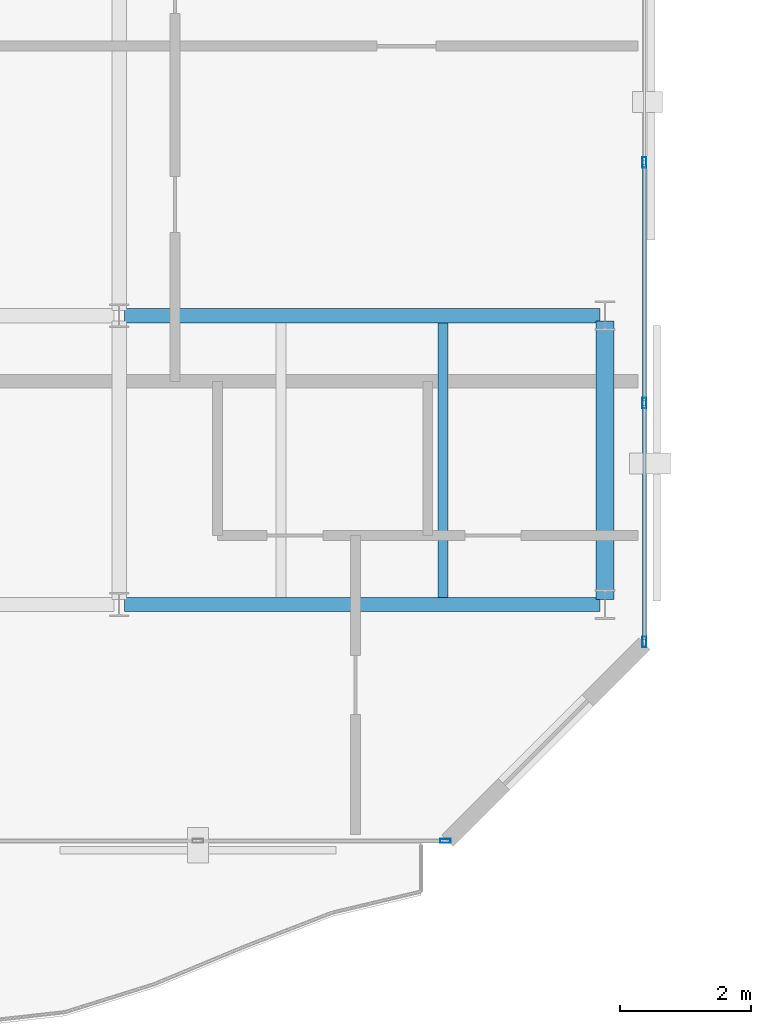
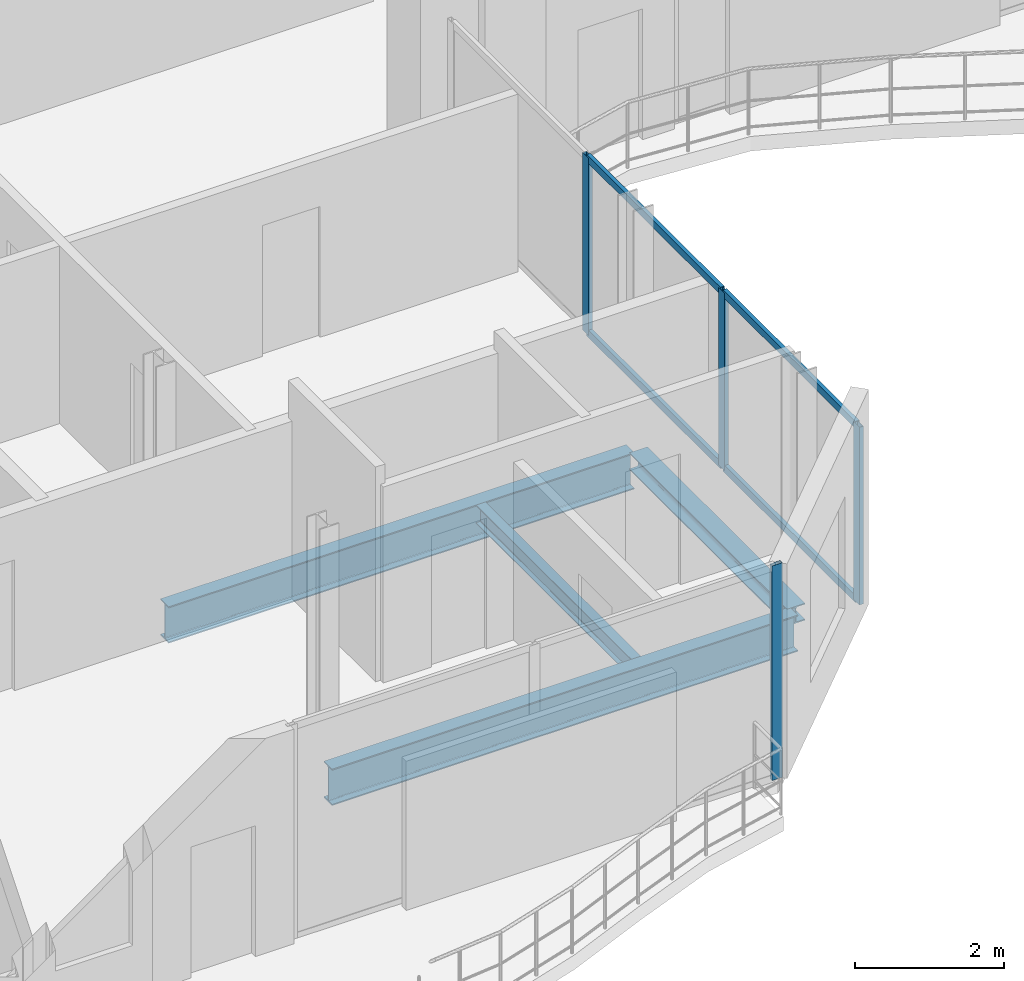
# One storey, part 7 of 22: 8 members, 4 beams, 2 elements without a shape of their own.
"""IFC4 building model written with IfcOpenShell, lengths in metres."""

from ifc_helpers import new_model, si_unit, direction, frame, origin, origin_2d, place, context, subcontext, project, spatial, hollow_rectangle, i_section, extrude, material, layer, layer_set, material_profile, profile_set, type_object, element, aggregate, save


model = new_model("IFC4")

# Units and contexts
model_context = context("Model", 3, precision=1e-05, world=origin(), true_north=direction((0.0, 1.0)))
body_context = subcontext(model_context, "Body", "Model", "MODEL_VIEW")
ifc_project = project(units=[si_unit("LENGTHUNIT", "METRE"), si_unit("AREAUNIT", "SQUARE_METRE"), si_unit("VOLUMEUNIT", "CUBIC_METRE"), si_unit("PLANEANGLEUNIT", "RADIAN"), si_unit("MASSUNIT", "GRAM", prefix="KILO")], contexts=[model_context])

# Site, building, storey
site_placement = place(None, origin())
site = spatial("IfcSite", under=ifc_project, at=site_placement, CompositionType="ELEMENT")
building_placement = place(site_placement, origin())
building = spatial("IfcBuilding", under=site, at=building_placement, Name="Catumbela Crestline Tower", CompositionType="ELEMENT")
storey_placement = place(building_placement, frame((0.0, 0.0, 222.2)))
storey = spatial("IfcBuildingStorey", under=building, at=storey_placement, Name="L57", CompositionType="ELEMENT", Elevation=222.2)

# Beams
ifc_material_1 = material(Name="Structural steel S355J2", Category="steel")
ifc_material_profile_1 = material_profile(ifc_material_1, i_section(OverallWidth=0.22, OverallDepth=0.6, WebThickness=0.012, FlangeThickness=0.019, FilletRadius=0.024, at=origin_2d()), Name="IPE 600")
ifc_profile_set_1 = profile_set([ifc_material_profile_1], Name="Structural steel S355J2")
beam_type_1 = type_object("IfcBeamType", Name="BG-IPE600", PredefinedType="BEAM", material=ifc_profile_set_1)
for number, where, z_axis, x_axis, name in (
    (1, (16.08, 13.6, -0.56), (1.0, 0.0, 0.0), (0.0, 1.0, 0.0), "L57 Beam BM-L57-WEW28"),
    (2, (16.08, 18.0, -0.56), (1.0, 0.0, 0.0), (0.0, 1.0, 0.0), "L57 Beam BM-L57-WEW30"),
):
    element("IfcBeam", number, at=place(storey_placement, frame(where, z_axis=z_axis, x_axis=x_axis)), inside=storey, type_object=beam_type_1, Name=name, PredefinedType="BEAM", context=body_context, shape_type="SweptSolid", body=[
        extrude(i_section(OverallWidth=0.22, OverallDepth=0.6, WebThickness=0.012, FlangeThickness=0.019, FilletRadius=0.024, at=origin_2d()), origin(), (0.0, 0.0, 1.0), 7.24),
    ])
ifc_material_profile_2 = material_profile(ifc_material_1, i_section(OverallWidth=0.15, OverallDepth=0.3, WebThickness=0.0071, FlangeThickness=0.0107, FilletRadius=0.015, at=origin_2d()), Name="IPE 300")
ifc_profile_set_2 = profile_set([ifc_material_profile_2], Name="Structural steel S355J2")
beam_type_2 = type_object("IfcBeamType", Name="BJ-IPE300", PredefinedType="JOIST", material=ifc_profile_set_2)
beam_1_placement = place(storey_placement, frame((20.933, 13.71, -0.41), z_axis=(0.0, 1.0, 0.0), x_axis=(-1.0, 0.0, 0.0)))
element("IfcBeam", 3, at=beam_1_placement, inside=storey, type_object=beam_type_2, Name="L57 Joist JS-L57-WG39", PredefinedType="JOIST", context=body_context, shape_type="SweptSolid", body=[
    extrude(i_section(OverallWidth=0.15, OverallDepth=0.3, WebThickness=0.0071, FlangeThickness=0.0107, FilletRadius=0.015, at=origin_2d()), origin(), (0.0, 0.0, 1.0), 4.18),
])

# Curtain wall, member
ifc_material_2 = material(Name="Aluminium alloy AW-6060-T66", Category="aluminium")
ifc_layer = layer(ifc_material_2, 0.18, Name="Aluminium alloy AW-6060-T66")
ifc_layer_set = layer_set([ifc_layer], Name="Aluminium alloy AW-6060-T66")
curtain_wall_type = type_object("IfcCurtainWallType", Name="CWU-Z4", PredefinedType="USERDEFINED", material=ifc_layer_set)
curtain_wall_1_placement = place(storey_placement, origin())
curtain_wall_1 = element("IfcCurtainWall", 4, at=curtain_wall_1_placement, inside=storey, type_object=curtain_wall_type, Name="L57 Unitised Curtain Wall CW-L57-E0S2", ObjectType="UNITISED", PredefinedType="USERDEFINED")
ifc_material_profile_3 = material_profile(ifc_material_2, hollow_rectangle(XDim=0.06, YDim=0.16, WallThickness=0.004, at=origin_2d()), Name="ALU 160x60x4")
ifc_profile_set_3 = profile_set([ifc_material_profile_3], Name="Aluminium alloy AW-6060-T66")
member_type_1 = type_object("IfcMemberType", Name="MUL-160X60", PredefinedType="MULLION", material=ifc_profile_set_3)
member_1_placement = place(storey_placement, frame((20.9675, 10.0, 0.0), z_axis=(0.0, 0.0, 1.0), x_axis=(0.0, 1.0, 0.0)))
member_1 = element("IfcMember", 5, at=member_1_placement, type_object=member_type_1, Name="CWU-Z4 mullion 3", PredefinedType="MULLION", context=body_context, shape_type="SweptSolid", body=[
    extrude(hollow_rectangle(XDim=0.06, YDim=0.16, WallThickness=0.004, at=origin_2d()), origin(), (0.0, 0.0, 1.0), 3.53),
])
aggregate(curtain_wall_1, [member_1])

# Curtain wall, members
curtain_wall_2_placement = place(storey_placement, origin())
curtain_wall_2 = element("IfcCurtainWall", 6, at=curtain_wall_2_placement, inside=storey, type_object=curtain_wall_type, Name="L57 Unitised Curtain Wall CW-L57-E2S1", ObjectType="UNITISED", PredefinedType="USERDEFINED")
member_2_placement = place(storey_placement, frame((24.0, 13.0325, 0.0), z_axis=(0.0, 0.0, 1.0), x_axis=(-1.0, 0.0, 0.0)))
member_2 = element("IfcMember", 7, at=member_2_placement, type_object=member_type_1, Name="CWU-Z4 mullion 1", PredefinedType="MULLION", context=body_context, shape_type="SweptSolid", body=[
    extrude(hollow_rectangle(XDim=0.06, YDim=0.16, WallThickness=0.004, at=origin_2d()), origin(), (0.0, 0.0, 1.0), 2.92),
])
member_3_placement = place(storey_placement, frame((24.0, 16.6667, 0.0), z_axis=(0.0, 0.0, 1.0), x_axis=(-1.0, 0.0, 0.0)))
member_3 = element("IfcMember", 8, at=member_3_placement, type_object=member_type_1, Name="CWU-Z4 mullion 2", PredefinedType="MULLION", context=body_context, shape_type="SweptSolid", body=[
    extrude(hollow_rectangle(XDim=0.06, YDim=0.16, WallThickness=0.004, at=origin_2d()), origin(), (0.0, 0.0, 1.0), 2.92),
])
member_4_placement = place(storey_placement, frame((24.0, 20.3333, 0.0), z_axis=(0.0, 0.0, 1.0), x_axis=(-1.0, 0.0, 0.0)))
member_4 = element("IfcMember", 9, at=member_4_placement, type_object=member_type_1, Name="CWU-Z4 mullion 3", PredefinedType="MULLION", context=body_context, shape_type="SweptSolid", body=[
    extrude(hollow_rectangle(XDim=0.06, YDim=0.16, WallThickness=0.004, at=origin_2d()), origin(), (0.0, 0.0, 1.0), 2.92),
])

# Beam
ifc_material_profile_4 = material_profile(ifc_material_1, i_section(OverallWidth=0.28, OverallDepth=0.28, WebThickness=0.0105, FlangeThickness=0.018, FilletRadius=0.024, at=origin_2d()), Name="HEB 280")
ifc_profile_set_4 = profile_set([ifc_material_profile_4], Name="Structural steel S355J2")
beam_type_3 = type_object("IfcBeamType", Name="BS-HEB280", PredefinedType="SPANDREL", material=ifc_profile_set_4)
beam_2_placement = place(storey_placement, frame((23.4, 13.68, -0.4), z_axis=(0.0, 1.0, 0.0), x_axis=(-1.0, 0.0, 0.0)))
element("IfcBeam", 10, at=beam_2_placement, inside=storey, type_object=beam_type_3, Name="L57 Spandrel SP-L57-WNS35", PredefinedType="SPANDREL", context=body_context, shape_type="SweptSolid", body=[
    extrude(i_section(OverallWidth=0.28, OverallDepth=0.28, WebThickness=0.0105, FlangeThickness=0.018, FilletRadius=0.024, at=origin_2d()), origin(), (0.0, 0.0, 1.0), 4.24),
])

# Member
ifc_material_profile_5 = material_profile(ifc_material_2, hollow_rectangle(XDim=0.06, YDim=0.12, WallThickness=0.0035, at=origin_2d()), Name="ALU 120x60x3.5")
ifc_profile_set_5 = profile_set([ifc_material_profile_5], Name="Aluminium alloy AW-6060-T66")
member_type_2 = type_object("IfcMemberType", Name="TRN-120X60", PredefinedType="USERDEFINED", material=ifc_profile_set_5)
member_5_placement = place(storey_placement, frame((24.0, 13.065, 0.03), z_axis=(0.0, 1.0, 0.0), x_axis=(-1.0, 0.0, 0.0)))
member_5 = element("IfcMember", 11, at=member_5_placement, type_object=member_type_2, Name="CWU-Z4 transom 1.1", ObjectType="TRANSOM", PredefinedType="USERDEFINED", context=body_context, shape_type="SweptSolid", body=[
    extrude(hollow_rectangle(XDim=0.06, YDim=0.12, WallThickness=0.0035, at=origin_2d()), origin(), (0.0, 0.0, 1.0), 3.5692),
])

member_6_placement = place(storey_placement, frame((24.0, 13.065, 2.89), z_axis=(0.0, 1.0, 0.0), x_axis=(-1.0, 0.0, 0.0)))
member_6 = element("IfcMember", 12, at=member_6_placement, type_object=member_type_2, Name="CWU-Z4 transom 1.2", ObjectType="TRANSOM", PredefinedType="USERDEFINED", context=body_context, shape_type="SweptSolid", body=[
    extrude(hollow_rectangle(XDim=0.06, YDim=0.12, WallThickness=0.0035, at=origin_2d()), origin(), (0.0, 0.0, 1.0), 3.5692),
])

member_7_placement = place(storey_placement, frame((24.0, 16.6992, 0.03), z_axis=(0.0, 1.0, 0.0), x_axis=(-1.0, 0.0, 0.0)))
member_7 = element("IfcMember", 13, at=member_7_placement, type_object=member_type_2, Name="CWU-Z4 transom 2.1", ObjectType="TRANSOM", PredefinedType="USERDEFINED", context=body_context, shape_type="SweptSolid", body=[
    extrude(hollow_rectangle(XDim=0.06, YDim=0.12, WallThickness=0.0035, at=origin_2d()), origin(), (0.0, 0.0, 1.0), 3.6016),
])

member_8_placement = place(storey_placement, frame((24.0, 16.6992, 2.89), z_axis=(0.0, 1.0, 0.0), x_axis=(-1.0, 0.0, 0.0)))
member_8 = element("IfcMember", 14, at=member_8_placement, type_object=member_type_2, Name="CWU-Z4 transom 2.2", ObjectType="TRANSOM", PredefinedType="USERDEFINED", context=body_context, shape_type="SweptSolid", body=[
    extrude(hollow_rectangle(XDim=0.06, YDim=0.12, WallThickness=0.0035, at=origin_2d()), origin(), (0.0, 0.0, 1.0), 3.6016),
])

aggregate(curtain_wall_2, [member_2, member_3, member_4, member_5, member_6, member_7, member_8])

save(model, "model.ifc")
